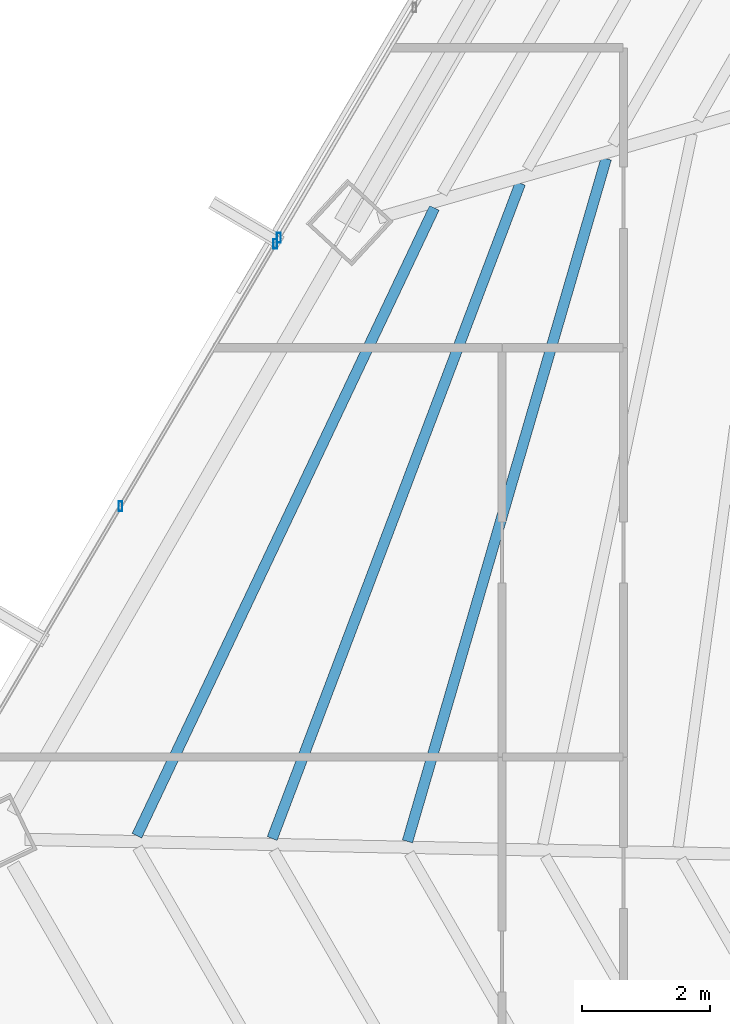
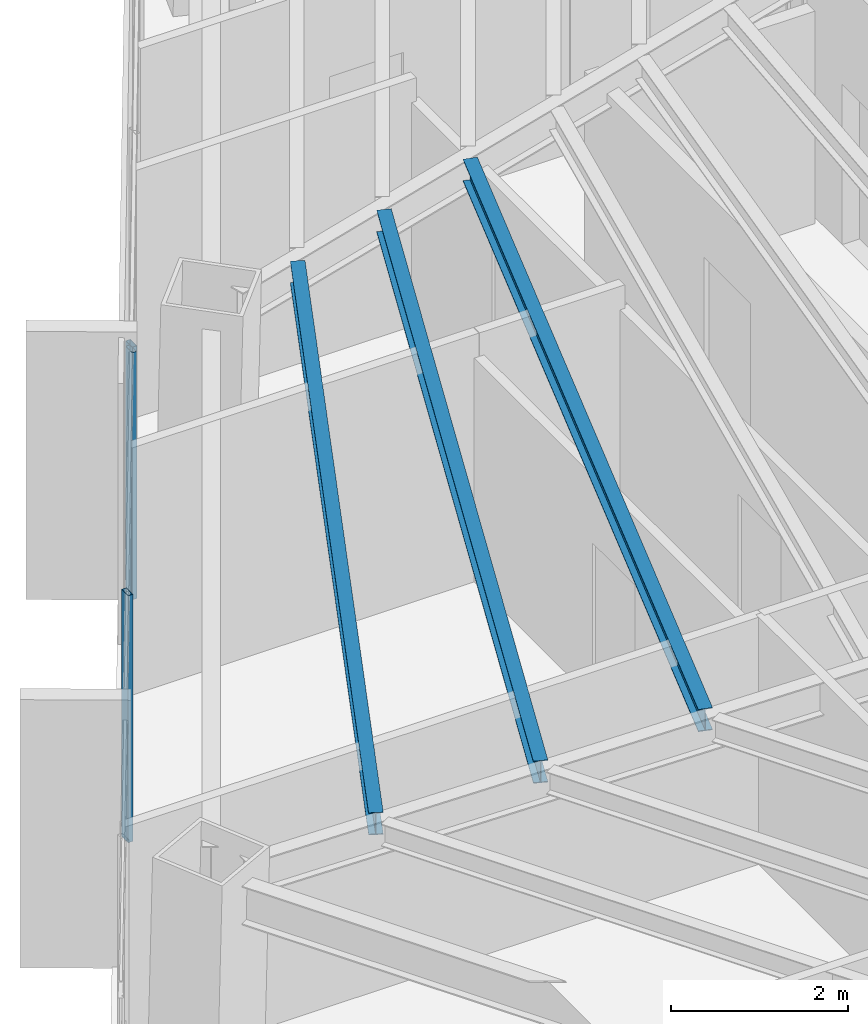
# One storey, part 12 of 41: 3 beams, 3 members, 2 elements without a shape of their own.
"""IFC4 building model written with IfcOpenShell, lengths in metres."""

from ifc_helpers import new_model, si_unit, direction, frame, origin, origin_2d, place, context, subcontext, project, spatial, hollow_rectangle, i_section, extrude, source, transform, mapped, material, material_profile, profile_set, type_object, type_shapes, element, aggregate, save


model = new_model("IFC4")

# Units and contexts
model_context = context("Model", 3, precision=1e-05, world=origin(), true_north=direction((0.0, 1.0)))
body_context = subcontext(model_context, "Body", "Model", "MODEL_VIEW")
ifc_project = project(units=[si_unit("LENGTHUNIT", "METRE"), si_unit("AREAUNIT", "SQUARE_METRE"), si_unit("VOLUMEUNIT", "CUBIC_METRE"), si_unit("PLANEANGLEUNIT", "RADIAN"), si_unit("MASSUNIT", "GRAM", prefix="KILO")], contexts=[model_context])

# Site, building, storey
site_placement = place(None, origin())
site = spatial("IfcSite", under=ifc_project, at=site_placement, CompositionType="ELEMENT")
building_placement = place(site_placement, origin())
building = spatial("IfcBuilding", under=site, at=building_placement, Name="Caelisora Broadcast Tower", CompositionType="ELEMENT")
storey_placement = place(building_placement, frame((0.0, 0.0, 173.10009765625)))
storey = spatial("IfcBuildingStorey", under=building, at=storey_placement, Name="L45", CompositionType="ELEMENT", Elevation=173.10009765625)

# Beams
ifc_material_1 = material(Name="Steel Grade 350 (AS/NZS 3679.1)", Category="steel")
ifc_material_profile_1 = material_profile(ifc_material_1, i_section(OverallWidth=0.166015625, OverallDepth=0.30712890625, WebThickness=0.006591796875, FlangeThickness=0.01171875, at=origin_2d()), Name="Steel Grade 350 (AS/NZS 3679.1)")
ifc_profile_set_1 = profile_set([ifc_material_profile_1], Name="Steel Grade 350 (AS/NZS 3679.1)")
beam_type = type_object("IfcBeamType", Name="SB03", PredefinedType="JOIST", material=ifc_profile_set_1)
shared_shape_1 = source(origin(), body_context, "Body", "SweptSolid", [
    extrude(i_section(OverallWidth=0.166015625, OverallDepth=0.30712890625, WebThickness=0.006591796875, FlangeThickness=0.01171875, at=origin_2d()), origin(), (0.0, 0.0, 1.0), 11.136474609375),
])
beam_1_placement = place(storey_placement, frame((25.130615234375, 28.362548828125, 3.246337890625), z_axis=(-0.279472126292, -0.960153805713, 0.0), x_axis=(0.960153805713, -0.279472126292, 0.0)))
element("IfcBeam", 1, at=beam_1_placement, inside=storey, type_object=beam_type, Name="L45 beam SB03", PredefinedType="JOIST", context=body_context, shape_type="MappedRepresentation", body=[
    mapped(shared_shape_1, transform((0.0, 0.0, 0.0), scale=1.0)),
])
shared_shape_2 = source(origin(), body_context, "Body", "SweptSolid", [
    extrude(i_section(OverallWidth=0.166015625, OverallDepth=0.30712890625, WebThickness=0.006591796875, FlangeThickness=0.01171875, at=origin_2d()), origin(), (0.0, 0.0, 1.0), 10.973388671875),
])
beam_2_placement = place(storey_placement, frame((23.785400390625, 27.976318359375, 3.246337890625), z_axis=(-0.354149824078, -0.935188698662, 0.0), x_axis=(0.935188698662, -0.354149824078, 0.0)))
element("IfcBeam", 2, at=beam_2_placement, inside=storey, type_object=beam_type, Name="L45 beam SB03", PredefinedType="JOIST", context=body_context, shape_type="MappedRepresentation", body=[
    mapped(shared_shape_2, transform((0.0, 0.0, 0.0), scale=1.0)),
])
shared_shape_3 = source(origin(), body_context, "Body", "SweptSolid", [
    extrude(i_section(OverallWidth=0.166015625, OverallDepth=0.30712890625, WebThickness=0.006591796875, FlangeThickness=0.01171875, at=origin_2d()), origin(), (0.0, 0.0, 1.0), 10.87890625),
])
type_shapes(beam_type, [shared_shape_1, shared_shape_2, shared_shape_3])
beam_3_placement = place(storey_placement, frame((22.438720703125, 27.58984375, 3.246337890625), z_axis=(-0.428145190163, -0.9037099624, 0.0), x_axis=(0.9037099624, -0.428145190163, 0.0)))
element("IfcBeam", 3, at=beam_3_placement, inside=storey, type_object=beam_type, Name="L45 beam SB03", PredefinedType="JOIST", context=body_context, shape_type="MappedRepresentation", body=[
    mapped(shared_shape_3, transform((0.0, 0.0, 0.0), scale=1.0)),
])

# Curtain wall, members
ifc_material_2 = material(Name="Unitised Aluminium and Low-E Glass Curtain Wall", Category="glass")
curtain_wall_type_1 = type_object("IfcCurtainWallType", Name="CW-Z3", PredefinedType="NOTDEFINED", material=ifc_material_2)
curtain_wall_1_placement = place(storey_placement, origin())
curtain_wall_1 = element("IfcCurtainWall", 4, at=curtain_wall_1_placement, inside=storey, type_object=curtain_wall_type_1, Name="L45 curtain wall CW-Z3", PredefinedType="NOTDEFINED")
ifc_material_3 = material(Name="Aluminium 6063-T6 Anodised Terracotta Bronze", Category="aluminium")
ifc_material_profile_2 = material_profile(ifc_material_3, hollow_rectangle(XDim=0.06005859375, YDim=0.14990234375, WallThickness=0.00341796875, at=origin_2d()), Name="Aluminium 6063-T6 Anodised Terracotta Bronze")
ifc_profile_set_2 = profile_set([ifc_material_profile_2], Name="Aluminium 6063-T6 Anodised Terracotta Bronze")
member_type = type_object("IfcMemberType", Name="CWM-03", PredefinedType="MULLION", material=ifc_profile_set_2)
shared_shape_4 = source(origin(), body_context, "Body", "SweptSolid", [
    extrude(hollow_rectangle(XDim=0.06005859375, YDim=0.14990234375, WallThickness=0.00341796875, at=origin_2d()), origin(), (0.0, 0.0, 1.0), 3.39990234375),
])
type_shapes(member_type, [shared_shape_4])
member_1_placement = place(storey_placement, frame((17.523193359375, 22.91796875, 0.0), z_axis=(0.0, 0.0, 1.0), x_axis=(1.0, 0.0, 0.0)))
member_1 = element("IfcMember", 5, at=member_1_placement, type_object=member_type, Name="L45-CW-B09 mullion #2", PredefinedType="MULLION", context=body_context, shape_type="MappedRepresentation", body=[
    mapped(shared_shape_4, transform((0.0, 0.0, 0.0), scale=1.0)),
])
member_2_placement = place(storey_placement, frame((19.947998046875, 27.02880859375, 0.0), z_axis=(0.0, 0.0, 1.0), x_axis=(1.0, 0.0, 0.0)))
member_2 = element("IfcMember", 6, at=member_2_placement, type_object=member_type, Name="L45-CW-B09 mullion #3", PredefinedType="MULLION", context=body_context, shape_type="MappedRepresentation", body=[
    mapped(shared_shape_4, transform((0.0, 0.0, 0.0), scale=1.0)),
])
aggregate(curtain_wall_1, [member_1, member_2])

# Curtain wall, member
ifc_material_4 = material(Name="Unitised Aluminium Insulated Shadow-Box Spandrel Curtain Wall", Category="aluminium")
curtain_wall_type_2 = type_object("IfcCurtainWallType", Name="CW-SP2", PredefinedType="NOTDEFINED", material=ifc_material_4)
curtain_wall_2_placement = place(storey_placement, origin())
curtain_wall_2 = element("IfcCurtainWall", 7, at=curtain_wall_2_placement, inside=storey, type_object=curtain_wall_type_2, Name="L45 curtain wall CW-SP2", PredefinedType="NOTDEFINED")
member_3_placement = place(storey_placement, frame((20.00390625, 27.12353515625, 0.0), z_axis=(0.0, 0.0, 1.0), x_axis=(1.0, 0.0, 0.0)))
member_3 = element("IfcMember", 8, at=member_3_placement, type_object=member_type, Name="L45-CW-B10 mullion #0", PredefinedType="MULLION", context=body_context, shape_type="MappedRepresentation", body=[
    mapped(shared_shape_4, transform((0.0, 0.0, 0.0), scale=1.0)),
])
aggregate(curtain_wall_2, [member_3])

save(model, "model.ifc")
